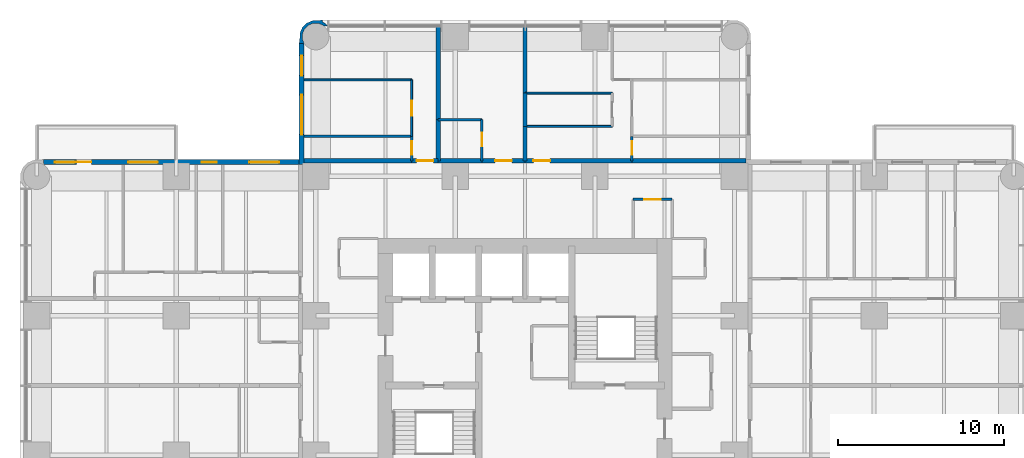
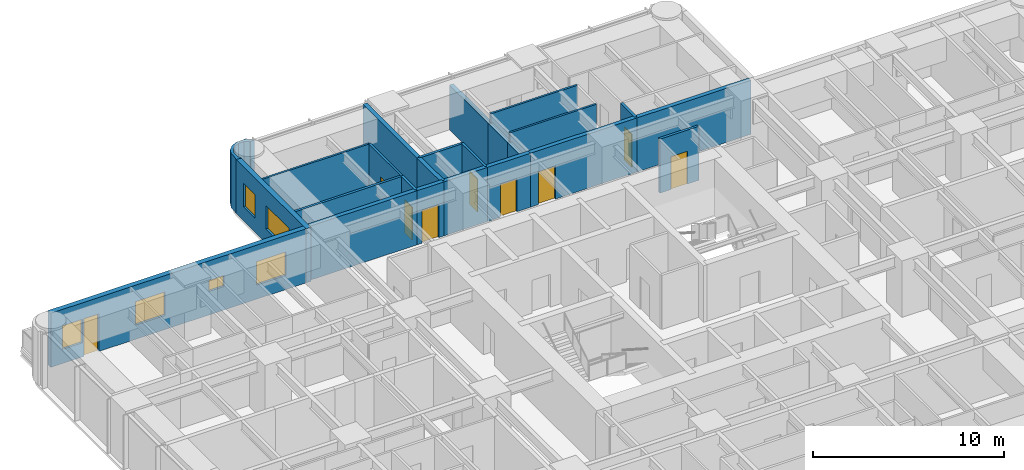
# One storey, part 11 of 14: 24 walls, 9 doors, 6 windows, 15 openings.
"""IFC4 building model written with IfcOpenShell, lengths in metres."""

from ifc_helpers import new_model, si_unit, direction, frame, frame_2d, origin, place, context, subcontext, project, spatial, polyline, rectangle, outline, extrude, material, layer, layer_set, type_object, element, fill, save


model = new_model("IFC4")

# Units and contexts
model_context = context("Model", 3, precision=1e-05, world=origin(), true_north=direction((0.0, 1.0)))
body_context = subcontext(model_context, "Body", "Model", "MODEL_VIEW")
ifc_project = project(units=[si_unit("LENGTHUNIT", "METRE"), si_unit("AREAUNIT", "SQUARE_METRE"), si_unit("VOLUMEUNIT", "CUBIC_METRE"), si_unit("PLANEANGLEUNIT", "RADIAN"), si_unit("MASSUNIT", "GRAM", prefix="KILO")], contexts=[model_context])

# Site, building, storey
site_placement = place(None, origin())
site = spatial("IfcSite", under=ifc_project, at=site_placement, CompositionType="ELEMENT")
building_placement = place(site_placement, origin())
building = spatial("IfcBuilding", under=site, at=building_placement, Name="Torre Alcanfor", CompositionType="ELEMENT")
storey_placement = place(building_placement, frame((0.0, 0.0, 130.5)))
storey = spatial("IfcBuildingStorey", under=building, at=storey_placement, Name="L33", CompositionType="ELEMENT", Elevation=130.5)

# Wall, opening, door
ifc_material_1 = material(Name="Concrete block masonry, hollow blocks NMX-C-404 9 MPa", Category="masonry")
ifc_layer_1 = layer(ifc_material_1, 0.25)
ifc_layer_set_1 = layer_set([ifc_layer_1], Name="Apartment entrance wall 250 EI 60")
wall_type_1 = type_object("IfcWallType", Name="Apartment entrance wall 250 EI 60", PredefinedType="PARTITIONING", material=ifc_layer_set_1)
wall_1_placement = place(storey_placement, frame((26.800048828125, 42.925048828125, 0.0), z_axis=(0.0, 0.0, 1.0), x_axis=(1.0, 0.0, 0.0)))
wall_1 = element("IfcWall", 1, at=wall_1_placement, inside=storey, type_object=wall_type_1, Name="Partition L33-CORR / L33-N1A-STUDIO", PredefinedType="PARTITIONING", context=body_context, shape_type="SweptSolid", body=[
    extrude(rectangle(XDim=2.599853515625, YDim=0.25, at=frame_2d((1.2998046875, 0.0))), origin(), (0.0, 0.0, 1.0), 3.449951171875),
])
opening_1_placement = place(wall_1_placement, frame((0.800048828125, 0.0, 0.0)))
opening_1 = element("IfcOpeningElement", 2, at=opening_1_placement, cuts=wall_1, Name="Opening D-A1", PredefinedType="OPENING", context=body_context, shape_type="SweptSolid", body=[
    extrude(rectangle(XDim=1.0, YDim=2.10009765625, at=frame_2d((0.5, 1.050048828125))), frame((0.0, 0.135009765625, 0.0), z_axis=(0.0, -1.0, 0.0), x_axis=(1.0, 0.0, 0.0)), (0.0, 0.0, 1.0), 0.27001953125),
])
ifc_material_2 = material(Name="Galvanised steel sheet ASTM A653", Category="steel")
door_type_1 = type_object("IfcDoorType", Name="Apartment entrance door FD60 1000x2100", OperationType="SINGLE_SWING_LEFT", PredefinedType="DOOR", material=ifc_material_2)
door_1_placement = place(opening_1_placement, origin())
door_1 = element("IfcDoor", 3, at=door_1_placement, inside=storey, type_object=door_type_1, Name="Apartment entrance L33-N1A", OperationType="SINGLE_SWING_LEFT", OverallHeight=2.10009765625, OverallWidth=1.0, PredefinedType="DOOR", context=body_context, shape_type="SweptSolid", body=[
    extrude(rectangle(XDim=1.0, YDim=2.10009765625, at=frame_2d((0.5, 1.050048828125))), frame((0.0, 0.02490234375, 0.0), z_axis=(0.0, -1.0, 0.0), x_axis=(1.0, 0.0, 0.0)), (0.0, 0.0, 1.0), 0.050048828125),
])
fill(opening_1, door_1)

# Wall
wall_2_placement = place(storey_placement, frame((24.1708984375, 42.925048828125, 0.0), z_axis=(0.0, 0.0, 1.0), x_axis=(1.0, 0.0, 0.0)))
element("IfcWall", 4, at=wall_2_placement, inside=storey, type_object=wall_type_1, Name="Partition L33-CORR / L33-N1A-BATH", PredefinedType="PARTITIONING", context=body_context, shape_type="SweptSolid", body=[
    extrude(rectangle(XDim=2.629150390625, YDim=0.25, at=frame_2d((1.314453125, 0.0))), origin(), (0.0, 0.0, 1.0), 3.449951171875),
])

# Wall, opening, door
wall_3_placement = place(storey_placement, frame((22.571044921875, 42.925048828125, 0.0), z_axis=(0.0, 0.0, 1.0), x_axis=(1.0, 0.0, 0.0)))
wall_3 = element("IfcWall", 5, at=wall_3_placement, inside=storey, type_object=wall_type_1, Name="Partition L33-CORR / L33-N1B-LIVING", PredefinedType="PARTITIONING", context=body_context, shape_type="SweptSolid", body=[
    extrude(rectangle(XDim=1.599853515625, YDim=0.25, at=frame_2d((0.7998046875, 0.0))), origin(), (0.0, 0.0, 1.0), 3.449951171875),
])
opening_2_placement = place(wall_3_placement, frame((0.300048828125, 0.0, 0.0)))
opening_2 = element("IfcOpeningElement", 6, at=opening_2_placement, cuts=wall_3, Name="Opening D-A1", PredefinedType="OPENING", context=body_context, shape_type="SweptSolid", body=[
    extrude(rectangle(XDim=1.0, YDim=2.10009765625, at=frame_2d((0.5, 1.050048828125))), frame((0.0, 0.135009765625, 0.0), z_axis=(0.0, -1.0, 0.0), x_axis=(1.0, 0.0, 0.0)), (0.0, 0.0, 1.0), 0.27001953125),
])
door_2_placement = place(opening_2_placement, origin())
door_2 = element("IfcDoor", 7, at=door_2_placement, inside=storey, type_object=door_type_1, Name="Apartment entrance L33-N1B", OperationType="SINGLE_SWING_LEFT", OverallHeight=2.10009765625, OverallWidth=1.0, PredefinedType="DOOR", context=body_context, shape_type="SweptSolid", body=[
    extrude(rectangle(XDim=1.0, YDim=2.10009765625, at=frame_2d((0.5, 1.050048828125))), frame((0.0, 0.02490234375, 0.0), z_axis=(0.0, -1.0, 0.0), x_axis=(1.0, 0.0, 0.0)), (0.0, 0.0, 1.0), 0.050048828125),
])
fill(opening_2, door_2)

# Wall
wall_4_placement = place(storey_placement, frame((16.10009765625, 42.925048828125, 0.0), z_axis=(0.0, 0.0, 1.0), x_axis=(1.0, 0.0, 0.0)))
element("IfcWall", 8, at=wall_4_placement, inside=storey, type_object=wall_type_1, Name="Partition L33-CORR / L33-N1B-BATH", PredefinedType="PARTITIONING", context=body_context, shape_type="SweptSolid", body=[
    extrude(rectangle(XDim=6.470947265625, YDim=0.25, at=frame_2d((3.2353515625, 0.0))), origin(), (0.0, 0.0, 1.0), 3.449951171875),
])

# Wall, opening, door
wall_5_placement = place(storey_placement, frame((29.39990234375, 42.925048828125, 0.0), z_axis=(0.0, 0.0, 1.0), x_axis=(1.0, 0.0, 0.0)))
wall_5 = element("IfcWall", 9, at=wall_5_placement, inside=storey, type_object=wall_type_1, Name="Partition L33-CORR / L33-N2-LIVING", PredefinedType="PARTITIONING", context=body_context, shape_type="SweptSolid", body=[
    extrude(rectangle(XDim=6.42919921875, YDim=0.25, at=frame_2d((3.214599609375, 0.0))), origin(), (0.0, 0.0, 1.0), 3.449951171875),
])
opening_3_placement = place(wall_5_placement, frame((0.5, 0.0, 0.0)))
opening_3 = element("IfcOpeningElement", 10, at=opening_3_placement, cuts=wall_5, Name="Opening D-A1", PredefinedType="OPENING", context=body_context, shape_type="SweptSolid", body=[
    extrude(rectangle(XDim=1.0, YDim=2.10009765625, at=frame_2d((0.5, 1.050048828125))), frame((0.0, 0.135009765625, 0.0), z_axis=(0.0, -1.0, 0.0), x_axis=(1.0, 0.0, 0.0)), (0.0, 0.0, 1.0), 0.27001953125),
])
door_3_placement = place(opening_3_placement, origin())
door_3 = element("IfcDoor", 11, at=door_3_placement, inside=storey, type_object=door_type_1, Name="Apartment entrance L33-N2", OperationType="SINGLE_SWING_LEFT", OverallHeight=2.10009765625, OverallWidth=1.0, PredefinedType="DOOR", context=body_context, shape_type="SweptSolid", body=[
    extrude(rectangle(XDim=1.0, YDim=2.10009765625, at=frame_2d((0.5, 1.050048828125))), frame((0.0, 0.02490234375, 0.0), z_axis=(0.0, -1.0, 0.0), x_axis=(1.0, 0.0, 0.0)), (0.0, 0.0, 1.0), 0.050048828125),
])
fill(opening_3, door_3)

# Wall
wall_6_placement = place(storey_placement, frame((35.8291015625, 42.925048828125, 0.0), z_axis=(0.0, 0.0, 1.0), x_axis=(1.0, 0.0, 0.0)))
element("IfcWall", 12, at=wall_6_placement, inside=storey, type_object=wall_type_1, Name="Partition L33-CORR / L33-N2-BATH", PredefinedType="PARTITIONING", context=body_context, shape_type="SweptSolid", body=[
    extrude(rectangle(XDim=6.870849609375, YDim=0.25, at=frame_2d((3.435546875, 0.0))), origin(), (0.0, 0.0, 1.0), 3.449951171875),
])

# Wall, opening, door
ifc_material_3 = material(Name="Gypsum board on steel studs", Category="steel")
ifc_layer_2 = layer(ifc_material_3, 0.1201171875)
ifc_layer_set_2 = layer_set([ifc_layer_2], Name="Apartment partition 120")
wall_type_2 = type_object("IfcWallType", Name="Apartment partition 120", PredefinedType="PARTITIONING", material=ifc_layer_set_2)
wall_7_placement = place(storey_placement, frame((22.571044921875, 44.39990234375, 0.0), z_axis=(0.0, 0.0, 1.0), x_axis=(0.0, 1.0, 0.0)))
wall_7 = element("IfcWall", 13, at=wall_7_placement, inside=storey, type_object=wall_type_2, Name="Partition L33-N1B-LIVING / L33-N1B-MASTER", PredefinedType="PARTITIONING", context=body_context, shape_type="SweptSolid", body=[
    extrude(rectangle(XDim=3.400146484375, YDim=0.1201171875, at=frame_2d((1.7001953125, 0.0))), origin(), (0.0, 0.0, 1.0), 3.449951171875),
])
opening_4_placement = place(wall_7_placement, frame((1.25, 0.0, 0.0)))
opening_4 = element("IfcOpeningElement", 14, at=opening_4_placement, cuts=wall_7, Name="Opening D-R1", PredefinedType="OPENING", context=body_context, shape_type="SweptSolid", body=[
    extrude(rectangle(XDim=0.89990234375, YDim=2.10009765625, at=frame_2d((0.449951171875, 1.050048828125))), frame((0.0, 0.070068359375, 0.0), z_axis=(0.0, -1.0, 0.0), x_axis=(1.0, 0.0, 0.0)), (0.0, 0.0, 1.0), 0.14013671875),
])
ifc_material_4 = material(Name="Timber", Category="wood")
door_type_2 = type_object("IfcDoorType", Name="Internal door 900x2100", OperationType="SINGLE_SWING_LEFT", PredefinedType="DOOR", material=ifc_material_4)
door_4_placement = place(opening_4_placement, origin())
door_4 = element("IfcDoor", 15, at=door_4_placement, inside=storey, type_object=door_type_2, Name="Door L33-N1B master", OperationType="SINGLE_SWING_LEFT", OverallHeight=2.10009765625, OverallWidth=0.89990234375, PredefinedType="DOOR", context=body_context, shape_type="SweptSolid", body=[
    extrude(rectangle(XDim=0.89990234375, YDim=2.10009765625, at=frame_2d((0.449951171875, 1.050048828125))), frame((0.0, 0.02490234375, 0.0), z_axis=(0.0, -1.0, 0.0), x_axis=(1.0, 0.0, 0.0)), (0.0, 0.0, 1.0), 0.050048828125),
])
fill(opening_4, door_4)

# Walls
wall_8_placement = place(storey_placement, frame((22.571044921875, 47.800048828125, 0.0), z_axis=(0.0, 0.0, 1.0), x_axis=(-1.0, 0.0, 0.0)))
element("IfcWall", 16, at=wall_8_placement, inside=storey, type_object=wall_type_2, Name="Partition L33-N1B-LIVING / L33-N1B-MASTER", PredefinedType="PARTITIONING", context=body_context, shape_type="SweptSolid", body=[
    extrude(rectangle(XDim=6.470947265625, YDim=0.1201171875, at=frame_2d((3.2353515625, 0.0))), origin(), (0.0, 0.0, 1.0), 3.449951171875),
])
for number, where, z_axis, x_axis, name in (
    (17, (29.39990234375, 47.0, 0.0), (0.0, 0.0, 1.0), (1.0, 0.0, 0.0), "Partition L33-N2-KITCHEN / L33-N2-LIVING"),
    (18, (34.62890625, 45.0, 0.0), (0.0, 0.0, 1.0), (-1.0, 0.0, 0.0), "Partition L33-N2-KITCHEN / L33-N2-LIVING"),
):
    element("IfcWall", number, at=place(storey_placement, frame(where, z_axis=z_axis, x_axis=x_axis)), inside=storey, type_object=wall_type_2, Name=name, PredefinedType="PARTITIONING", context=body_context, shape_type="SweptSolid", body=[
        extrude(rectangle(XDim=5.22900390625, YDim=0.1201171875, at=frame_2d((2.614501953125, 0.0))), origin(), (0.0, 0.0, 1.0), 3.449951171875),
    ])

# Wall, openings, door, windows
ifc_material_5 = material(Name="Limestone cladding", Category="masonry")
ifc_layer_3 = layer(ifc_material_5, 0.0400390625, Name="Facing")
ifc_material_6 = material(Name="Ventilated air cavity")
ifc_layer_4 = layer(ifc_material_6, 0.02001953125, ventilated=True, Name="Ventilated joint")
ifc_material_7 = material(Name="Mineral wool insulation", Category="insulation")
ifc_layer_5 = layer(ifc_material_7, 0.10009765625, Name="Insulation")
ifc_material_8 = material(Name="Concrete f'c 35 MPa", Category="concrete")
ifc_layer_6 = layer(ifc_material_8, 0.139892578125, Name="Backing")
ifc_layer_set_3 = layer_set([ifc_layer_3, ifc_layer_4, ifc_layer_5, ifc_layer_6], Name="External wall stone-clad 300")
wall_type_3 = type_object("IfcWallType", Name="External wall stone-clad 300", PredefinedType="SOLIDWALL", material=ifc_layer_set_3)
wall_9_placement = place(storey_placement, frame((15.800048828125, 42.85009765625, 0.0), z_axis=(0.0, 0.0, 1.0), x_axis=(-1.0, 0.0, 0.0)))
wall_9 = element("IfcWall", 19, at=wall_9_placement, inside=storey, type_object=wall_type_3, Name="External wall L33 1", PredefinedType="SOLIDWALL", context=body_context, shape_type="SweptSolid", body=[
    extrude(rectangle(XDim=15.400146484375, YDim=0.300048828125, at=frame_2d((7.7001953125, 0.0))), origin(), (0.0, 0.0, 1.0), 3.449951171875),
])
opening_5_placement = place(wall_9_placement, frame((1.199951171875, 0.0, 0.89990234375)))
opening_5 = element("IfcOpeningElement", 20, at=opening_5_placement, cuts=wall_9, Name="Opening W2", PredefinedType="OPENING", context=body_context, shape_type="SweptSolid", body=[
    extrude(rectangle(XDim=1.800048828125, YDim=1.5, at=frame_2d((0.89990234375, 0.75))), frame((0.0, 0.159912109375, 0.0), z_axis=(0.0, -1.0, 0.0), x_axis=(1.0, 0.0, 0.0)), (0.0, 0.0, 1.0), 0.320068359375),
])
opening_6_placement = place(wall_9_placement, frame((4.949951171875, 0.0, 1.5)))
opening_6 = element("IfcOpeningElement", 21, at=opening_6_placement, cuts=wall_9, Name="Opening W3", PredefinedType="OPENING", context=body_context, shape_type="SweptSolid", body=[
    extrude(rectangle(XDim=0.89990234375, YDim=0.699951171875, at=frame_2d((0.449951171875, 0.35009765625))), frame((0.0, 0.159912109375, 0.0), z_axis=(0.0, -1.0, 0.0), x_axis=(1.0, 0.0, 0.0)), (0.0, 0.0, 1.0), 0.320068359375),
])
opening_7_placement = place(wall_9_placement, frame((8.5, 0.0, 0.89990234375)))
opening_7 = element("IfcOpeningElement", 22, at=opening_7_placement, cuts=wall_9, Name="Opening W2", PredefinedType="OPENING", context=body_context, shape_type="SweptSolid", body=[
    extrude(rectangle(XDim=1.800048828125, YDim=1.5, at=frame_2d((0.89990234375, 0.75))), frame((0.0, 0.159912109375, 0.0), z_axis=(0.0, -1.0, 0.0), x_axis=(1.0, 0.0, 0.0)), (0.0, 0.0, 1.0), 0.320068359375),
])
opening_8_placement = place(wall_9_placement, frame((12.5, 0.0, 0.0)))
opening_8 = element("IfcOpeningElement", 23, at=opening_8_placement, cuts=wall_9, Name="Opening D-B1", PredefinedType="OPENING", context=body_context, shape_type="SweptSolid", body=[
    extrude(rectangle(XDim=0.89990234375, YDim=2.39990234375, at=frame_2d((0.449951171875, 1.199951171875))), frame((0.0, 0.159912109375, 0.0), z_axis=(0.0, -1.0, 0.0), x_axis=(1.0, 0.0, 0.0)), (0.0, 0.0, 1.0), 0.320068359375),
])
opening_9_placement = place(wall_9_placement, frame((13.5, 0.0, 0.89990234375)))
opening_9 = element("IfcOpeningElement", 24, at=opening_9_placement, cuts=wall_9, Name="Opening W4", PredefinedType="OPENING", context=body_context, shape_type="SweptSolid", body=[
    extrude(rectangle(XDim=1.199951171875, YDim=1.5, at=frame_2d((0.60009765625, 0.75))), frame((0.0, 0.159912109375, 0.0), z_axis=(0.0, -1.0, 0.0), x_axis=(1.0, 0.0, 0.0)), (0.0, 0.0, 1.0), 0.320068359375),
])
ifc_material_9 = material(Name="Aluminium and glass", Category="aluminium")
door_type_3 = type_object("IfcDoorType", Name="Balcony door glazed 900x2400", OperationType="SINGLE_SWING_LEFT", PredefinedType="DOOR", material=ifc_material_9)
door_5_placement = place(opening_8_placement, origin())
door_5 = element("IfcDoor", 25, at=door_5_placement, inside=storey, type_object=door_type_3, Name="Balcony door L33-W2", OperationType="SINGLE_SWING_LEFT", OverallHeight=2.39990234375, OverallWidth=0.89990234375, PredefinedType="DOOR", context=body_context, shape_type="SweptSolid", body=[
    extrude(rectangle(XDim=0.89990234375, YDim=2.39990234375, at=frame_2d((0.449951171875, 1.199951171875))), frame((0.0, 0.02490234375, 0.0), z_axis=(0.0, -1.0, 0.0), x_axis=(1.0, 0.0, 0.0)), (0.0, 0.0, 1.0), 0.050048828125),
])
fill(opening_8, door_5)
ifc_material_10 = material(Name="Aluminium frame with clear double glazing", Category="aluminium")
window_type_1 = type_object("IfcWindowType", Name="Window bathroom 900x700", PartitioningType="SINGLE_PANEL", PredefinedType="WINDOW", material=ifc_material_10)
window_1_placement = place(opening_6_placement, origin())
window_1 = element("IfcWindow", 26, at=window_1_placement, inside=storey, type_object=window_type_1, Name="Window W3 L33-W2", OverallHeight=0.699951171875, OverallWidth=0.89990234375, PartitioningType="SINGLE_PANEL", PredefinedType="WINDOW", context=body_context, shape_type="SweptSolid", body=[
    extrude(rectangle(XDim=0.89990234375, YDim=0.699951171875, at=frame_2d((0.449951171875, 0.35009765625))), frame((0.0, 0.030029296875, 0.0), z_axis=(0.0, -1.0, 0.0), x_axis=(1.0, 0.0, 0.0)), (0.0, 0.0, 1.0), 0.06005859375),
])
fill(opening_6, window_1)
ifc_material_11 = material(Name="Aluminium frame with clear double glazing", Category="aluminium")
window_type_2 = type_object("IfcWindowType", Name="Window bedroom 1200x1500", PartitioningType="SINGLE_PANEL", PredefinedType="WINDOW", material=ifc_material_11)
window_2_placement = place(opening_9_placement, origin())
window_2 = element("IfcWindow", 27, at=window_2_placement, inside=storey, type_object=window_type_2, Name="Window W4 L33-W2", OverallHeight=1.5, OverallWidth=1.199951171875, PartitioningType="SINGLE_PANEL", PredefinedType="WINDOW", context=body_context, shape_type="SweptSolid", body=[
    extrude(rectangle(XDim=1.199951171875, YDim=1.5, at=frame_2d((0.60009765625, 0.75))), frame((0.0, 0.030029296875, 0.0), z_axis=(0.0, -1.0, 0.0), x_axis=(1.0, 0.0, 0.0)), (0.0, 0.0, 1.0), 0.06005859375),
])
fill(opening_9, window_2)
ifc_material_12 = material(Name="Aluminium frame with clear double glazing", Category="aluminium")
window_type_3 = type_object("IfcWindowType", Name="Window bedroom 1800x1500", PartitioningType="SINGLE_PANEL", PredefinedType="WINDOW", material=ifc_material_12)
window_3_placement = place(opening_5_placement, origin())
window_3 = element("IfcWindow", 28, at=window_3_placement, inside=storey, type_object=window_type_3, Name="Window W2 L33-W2", OverallHeight=1.5, OverallWidth=1.800048828125, PartitioningType="SINGLE_PANEL", PredefinedType="WINDOW", context=body_context, shape_type="SweptSolid", body=[
    extrude(rectangle(XDim=1.800048828125, YDim=1.5, at=frame_2d((0.89990234375, 0.75))), frame((0.0, 0.030029296875, 0.0), z_axis=(0.0, -1.0, 0.0), x_axis=(1.0, 0.0, 0.0)), (0.0, 0.0, 1.0), 0.06005859375),
])
fill(opening_5, window_3)
window_4_placement = place(opening_7_placement, origin())
window_4 = element("IfcWindow", 29, at=window_4_placement, inside=storey, type_object=window_type_3, Name="Window W2 L33-W2", OverallHeight=1.5, OverallWidth=1.800048828125, PartitioningType="SINGLE_PANEL", PredefinedType="WINDOW", context=body_context, shape_type="SweptSolid", body=[
    extrude(rectangle(XDim=1.800048828125, YDim=1.5, at=frame_2d((0.89990234375, 0.75))), frame((0.0, 0.030029296875, 0.0), z_axis=(0.0, -1.0, 0.0), x_axis=(1.0, 0.0, 0.0)), (0.0, 0.0, 1.0), 0.06005859375),
])
fill(opening_7, window_4)

# Wall, openings, windows
wall_10_placement = place(storey_placement, frame((15.949951171875, 50.0, 0.0), z_axis=(0.0, 0.0, 1.0), x_axis=(0.0, -1.0, 0.0)))
wall_10 = element("IfcWall", 30, at=wall_10_placement, inside=storey, type_object=wall_type_3, Name="External wall L33 12", PredefinedType="SOLIDWALL", context=body_context, shape_type="SweptSolid", body=[
    extrude(rectangle(XDim=7.300048828125, YDim=0.300048828125, at=frame_2d((3.64990234375, 0.0))), origin(), (0.0, 0.0, 1.0), 3.449951171875),
])
opening_10_placement = place(wall_10_placement, frame((3.10009765625, 0.0, 0.89990234375)))
opening_10 = element("IfcOpeningElement", 31, at=opening_10_placement, cuts=wall_10, Name="Opening W1", PredefinedType="OPENING", context=body_context, shape_type="SweptSolid", body=[
    extrude(rectangle(XDim=2.39990234375, YDim=1.5, at=frame_2d((1.199951171875, 0.75))), frame((0.0, 0.159912109375, 0.0), z_axis=(0.0, -1.0, 0.0), x_axis=(1.0, 0.0, 0.0)), (0.0, 0.0, 1.0), 0.320068359375),
])
opening_11_placement = place(wall_10_placement, frame((0.75, 0.0, 0.89990234375)))
opening_11 = element("IfcOpeningElement", 32, at=opening_11_placement, cuts=wall_10, Name="Opening W4", PredefinedType="OPENING", context=body_context, shape_type="SweptSolid", body=[
    extrude(rectangle(XDim=1.199951171875, YDim=1.5, at=frame_2d((0.60009765625, 0.75))), frame((0.0, 0.159912109375, 0.0), z_axis=(0.0, -1.0, 0.0), x_axis=(1.0, 0.0, 0.0)), (0.0, 0.0, 1.0), 0.320068359375),
])
window_5_placement = place(opening_11_placement, origin())
window_5 = element("IfcWindow", 33, at=window_5_placement, inside=storey, type_object=window_type_2, Name="Window W4 L33-N1", OverallHeight=1.5, OverallWidth=1.199951171875, PartitioningType="SINGLE_PANEL", PredefinedType="WINDOW", context=body_context, shape_type="SweptSolid", body=[
    extrude(rectangle(XDim=1.199951171875, YDim=1.5, at=frame_2d((0.60009765625, 0.75))), frame((0.0, 0.030029296875, 0.0), z_axis=(0.0, -1.0, 0.0), x_axis=(1.0, 0.0, 0.0)), (0.0, 0.0, 1.0), 0.06005859375),
])
fill(opening_11, window_5)
ifc_material_13 = material(Name="Aluminium frame with clear double glazing", Category="aluminium")
window_type_4 = type_object("IfcWindowType", Name="Window bedroom 2400x1500", PartitioningType="SINGLE_PANEL", PredefinedType="WINDOW", material=ifc_material_13)
window_6_placement = place(opening_10_placement, origin())
window_6 = element("IfcWindow", 34, at=window_6_placement, inside=storey, type_object=window_type_4, Name="Window W1 L33-N1", OverallHeight=1.5, OverallWidth=2.39990234375, PartitioningType="SINGLE_PANEL", PredefinedType="WINDOW", context=body_context, shape_type="SweptSolid", body=[
    extrude(rectangle(XDim=2.39990234375, YDim=1.5, at=frame_2d((1.199951171875, 0.75))), frame((0.0, 0.030029296875, 0.0), z_axis=(0.0, -1.0, 0.0), x_axis=(1.0, 0.0, 0.0)), (0.0, 0.0, 1.0), 0.06005859375),
])
fill(opening_10, window_6)

# Walls
ifc_material_14 = material(Name="Concrete block masonry, hollow blocks NMX-C-404 9 MPa", Category="masonry")
ifc_layer_7 = layer(ifc_material_14, 0.25)
ifc_layer_set_4 = layer_set([ifc_layer_7], Name="Party wall 250 EI 60")
wall_type_4 = type_object("IfcWallType", Name="Party wall 250 EI 60", PredefinedType="PARTITIONING", material=ifc_layer_set_4)
wall_11_placement = place(storey_placement, frame((24.1708984375, 45.39990234375, 0.0), z_axis=(0.0, 0.0, 1.0), x_axis=(0.0, 1.0, 0.0)))
element("IfcWall", 35, at=wall_11_placement, inside=storey, type_object=wall_type_4, Name="Partition L33-N1A-STUDIO / L33-N1B-LIVING", PredefinedType="PARTITIONING", context=body_context, shape_type="SweptSolid", body=[
    extrude(rectangle(XDim=5.650146484375, YDim=0.25, at=frame_2d((2.8251953125, 0.0))), origin(), (0.0, 0.0, 1.0), 3.449951171875),
])
wall_12_placement = place(storey_placement, frame((29.39990234375, 47.0, 0.0), z_axis=(0.0, 0.0, 1.0), x_axis=(0.0, -1.0, 0.0)))
element("IfcWall", 36, at=wall_12_placement, inside=storey, type_object=wall_type_4, Name="Partition L33-N1A-STUDIO / L33-N2-KITCHEN", PredefinedType="PARTITIONING", context=body_context, shape_type="SweptSolid", body=[
    extrude(rectangle(XDim=2.0, YDim=0.25, at=frame_2d((1.0, 0.0))), origin(), (0.0, 0.0, 1.0), 2.847900390625),
])
wall_13_placement = place(storey_placement, frame((29.39990234375, 45.0, 0.0), z_axis=(0.0, 0.0, 1.0), x_axis=(0.0, -1.0, 0.0)))
element("IfcWall", 37, at=wall_13_placement, inside=storey, type_object=wall_type_4, Name="Partition L33-N1A-STUDIO / L33-N2-LIVING", PredefinedType="PARTITIONING", context=body_context, shape_type="SweptSolid", body=[
    extrude(rectangle(XDim=2.074951171875, YDim=0.25, at=frame_2d((1.03759765625, 0.0))), origin(), (0.0, 0.0, 1.0), 2.847900390625),
])
wall_14_placement = place(storey_placement, frame((29.39990234375, 51.050048828125, 0.0), z_axis=(0.0, 0.0, 1.0), x_axis=(0.0, -1.0, 0.0)))
element("IfcWall", 38, at=wall_14_placement, inside=storey, type_object=wall_type_4, Name="Partition L33-N1A-STUDIO / L33-N2-LIVING", PredefinedType="PARTITIONING", context=body_context, shape_type="SweptSolid", body=[
    extrude(rectangle(XDim=4.050048828125, YDim=0.25, at=frame_2d((2.02490234375, 0.0))), origin(), (0.0, 0.0, 1.0), 2.847900390625),
])
wall_15_placement = place(storey_placement, frame((24.1708984375, 45.39990234375, 0.0), z_axis=(0.0, 0.0, 1.0), x_axis=(0.0, -1.0, 0.0)))
element("IfcWall", 39, at=wall_15_placement, inside=storey, type_object=wall_type_4, Name="Partition L33-N1A-BATH / L33-N1B-LIVING", PredefinedType="PARTITIONING", context=body_context, shape_type="SweptSolid", body=[
    extrude(rectangle(XDim=2.474853515625, YDim=0.25, at=frame_2d((1.2373046875, 0.0))), origin(), (0.0, 0.0, 1.0), 3.449951171875),
])

# Wall, opening, door
ifc_material_15 = material(Name="Concrete block masonry, hollow blocks NMX-C-404 9 MPa", Category="masonry")
ifc_layer_8 = layer(ifc_material_15, 0.14990234375)
ifc_layer_set_5 = layer_set([ifc_layer_8], Name="Residents' room partition 150")
wall_type_5 = type_object("IfcWallType", Name="Residents' room partition 150", PredefinedType="PARTITIONING", material=ifc_layer_set_5)
wall_16_placement = place(storey_placement, frame((38.25, 40.60009765625, 0.0), z_axis=(0.0, 0.0, 1.0), x_axis=(-1.0, 0.0, 0.0)))
wall_16 = element("IfcWall", 40, at=wall_16_placement, inside=storey, type_object=wall_type_5, Name="Partition L33-CORR / L33-G01", PredefinedType="PARTITIONING", context=body_context, shape_type="SweptSolid", body=[
    extrude(rectangle(XDim=2.35009765625, YDim=0.14990234375, at=frame_2d((1.175048828125, 0.0))), origin(), (0.0, 0.0, 1.0), 3.449951171875),
])
opening_12_placement = place(wall_16_placement, frame((0.675048828125, 0.0, 0.0)))
opening_12 = element("IfcOpeningElement", 41, at=opening_12_placement, cuts=wall_16, Name="Opening D-M1", PredefinedType="OPENING", context=body_context, shape_type="SweptSolid", body=[
    extrude(rectangle(XDim=1.0, YDim=2.10009765625, at=frame_2d((0.5, 1.050048828125))), frame((0.0, 0.0849609375, 0.0), z_axis=(0.0, -1.0, 0.0), x_axis=(1.0, 0.0, 0.0)), (0.0, 0.0, 1.0), 0.169921875),
])
ifc_material_16 = material(Name="Timber", Category="wood")
door_type_4 = type_object("IfcDoorType", Name="Residents' room door 1000x2100", OperationType="SINGLE_SWING_LEFT", PredefinedType="DOOR", material=ifc_material_16)
door_6_placement = place(opening_12_placement, origin())
door_6 = element("IfcDoor", 42, at=door_6_placement, inside=storey, type_object=door_type_4, Name="Door L33-G01 parcel room", OperationType="SINGLE_SWING_LEFT", OverallHeight=2.10009765625, OverallWidth=1.0, PredefinedType="DOOR", context=body_context, shape_type="SweptSolid", body=[
    extrude(rectangle(XDim=1.0, YDim=2.10009765625, at=frame_2d((0.5, 1.050048828125))), frame((0.0, 0.02490234375, 0.0), z_axis=(0.0, -1.0, 0.0), x_axis=(1.0, 0.0, 0.0)), (0.0, 0.0, 1.0), 0.050048828125),
])
fill(opening_12, door_6)

# Wall
ifc_layer_9 = layer(ifc_material_5, 0.0400390625, Name="Facing")
ifc_layer_10 = layer(ifc_material_6, 0.02001953125, ventilated=True, Name="Ventilated joint")
ifc_layer_11 = layer(ifc_material_7, 0.10009765625, Name="Insulation")
ifc_layer_12 = layer(ifc_material_8, 0.139892578125, Name="Backing")
ifc_layer_set_6 = layer_set([ifc_layer_9, ifc_layer_10, ifc_layer_11, ifc_layer_12], Name="Rounded corner pier stone-clad 300")
wall_type_6 = type_object("IfcWallType", Name="Rounded corner pier stone-clad 300", PredefinedType="SOLIDWALL", material=ifc_layer_set_6)
wall_17_placement = place(storey_placement, frame((17.448071802, 50.995317512, 0.0), z_axis=(0.0, 0.0, 1.0), x_axis=(-0.343276641956, 0.93923434088, 0.0)))
element("IfcWall", 43, at=wall_17_placement, inside=storey, type_object=wall_type_6, Name="Corner pier L33 20", PredefinedType="SOLIDWALL", context=body_context, shape_type="SweptSolid", body=[
    extrude(outline(polyline([(0.24108059829103723, 0.022959620234629247), (0.3334805428319213, 0.12357557552177408), (0.4651739844878831, 0.09415889406460926), (0.5320540980205655, 0.3930753034134802), (0.6306958479185591, 0.6629675932609465), (0.6144442310825087, 1.0445145490965344), (0.4535240125743382, 1.3908175635047577), (0.17229496211504458, 1.6490443416962495), (-0.0975973277324218, 1.7476860915942432), (-0.36910859501107685, 1.8895490248211664), (-0.5092558011112671, 1.6213097208797382), (-0.4906820751319597, 1.6145212911926206), (-0.47934485608116756, 1.6085581501360122), (-0.21131694537408713, 1.6200307736528514), (0.0879264176258649, 1.5106616286937335), (0.32264848080083985, 1.2951661291093102), (0.4569426595377669, 1.0061627997252323), (0.4702938084391308, 0.6878005781830546), (0.3609246634800129, 0.3885572151831026), (0.1454291638955897, 0.15383515200812764), (0.10816871297824923, 0.136520951282565), (0.030981753202503952, -0.0746691922599299), (0.24108059829103723, 0.022959620234629247)])), origin(), (0.0, 0.0, 1.0), 3.449951171875),
])

# Wall, opening, door
ifc_material_17 = material(Name="Cement board on steel studs", Category="steel")
ifc_layer_13 = layer(ifc_material_17, 0.14990234375)
ifc_layer_set_7 = layer_set([ifc_layer_13], Name="Wet area partition 150")
wall_type_7 = type_object("IfcWallType", Name="Wet area partition 150", PredefinedType="PARTITIONING", material=ifc_layer_set_7)
wall_18_placement = place(storey_placement, frame((26.800048828125, 42.925048828125, 0.0), z_axis=(0.0, 0.0, 1.0), x_axis=(0.0, 1.0, 0.0)))
wall_18 = element("IfcWall", 44, at=wall_18_placement, inside=storey, type_object=wall_type_7, Name="Partition L33-N1A-STUDIO / L33-N1A-BATH", PredefinedType="PARTITIONING", context=body_context, shape_type="SweptSolid", body=[
    extrude(rectangle(XDim=2.474853515625, YDim=0.14990234375, at=frame_2d((1.2373046875, 0.0))), origin(), (0.0, 0.0, 1.0), 3.449951171875),
])
opening_13_placement = place(wall_18_placement, frame((0.875, 0.0, 0.0)))
opening_13 = element("IfcOpeningElement", 45, at=opening_13_placement, cuts=wall_18, Name="Opening D-R2", PredefinedType="OPENING", context=body_context, shape_type="SweptSolid", body=[
    extrude(rectangle(XDim=0.800048828125, YDim=2.10009765625, at=frame_2d((0.39990234375, 1.050048828125))), frame((0.0, 0.0849609375, 0.0), z_axis=(0.0, -1.0, 0.0), x_axis=(1.0, 0.0, 0.0)), (0.0, 0.0, 1.0), 0.169921875),
])
ifc_material_18 = material(Name="Timber", Category="wood")
door_type_5 = type_object("IfcDoorType", Name="Bathroom door 800x2100", OperationType="SINGLE_SWING_LEFT", PredefinedType="DOOR", material=ifc_material_18)
door_7_placement = place(opening_13_placement, origin())
door_7 = element("IfcDoor", 46, at=door_7_placement, inside=storey, type_object=door_type_5, Name="Door L33-N1A bath", OperationType="SINGLE_SWING_RIGHT", OverallHeight=2.10009765625, OverallWidth=0.800048828125, PredefinedType="DOOR", context=body_context, shape_type="SweptSolid", body=[
    extrude(rectangle(XDim=0.800048828125, YDim=2.10009765625, at=frame_2d((0.39990234375, 1.050048828125))), frame((0.0, 0.02490234375, 0.0), z_axis=(0.0, -1.0, 0.0), x_axis=(1.0, 0.0, 0.0)), (0.0, 0.0, 1.0), 0.050048828125),
])
fill(opening_13, door_7)

# Wall
wall_19_placement = place(storey_placement, frame((26.800048828125, 45.39990234375, 0.0), z_axis=(0.0, 0.0, 1.0), x_axis=(-1.0, 0.0, 0.0)))
element("IfcWall", 47, at=wall_19_placement, inside=storey, type_object=wall_type_7, Name="Partition L33-N1A-STUDIO / L33-N1A-BATH", PredefinedType="PARTITIONING", context=body_context, shape_type="SweptSolid", body=[
    extrude(rectangle(XDim=2.629150390625, YDim=0.14990234375, at=frame_2d((1.314453125, 0.0))), origin(), (0.0, 0.0, 1.0), 3.449951171875),
])

# Wall, opening, door
wall_20_placement = place(storey_placement, frame((22.571044921875, 42.925048828125, 0.0), z_axis=(0.0, 0.0, 1.0), x_axis=(0.0, 1.0, 0.0)))
wall_20 = element("IfcWall", 48, at=wall_20_placement, inside=storey, type_object=wall_type_7, Name="Partition L33-N1B-LIVING / L33-N1B-BATH", PredefinedType="PARTITIONING", context=body_context, shape_type="SweptSolid", body=[
    extrude(rectangle(XDim=1.474853515625, YDim=0.14990234375, at=frame_2d((0.7373046875, 0.0))), origin(), (0.0, 0.0, 1.0), 3.449951171875),
])
opening_14_placement = place(wall_20_placement, frame((0.375, 0.0, 0.0)))
opening_14 = element("IfcOpeningElement", 49, at=opening_14_placement, cuts=wall_20, Name="Opening D-R2", PredefinedType="OPENING", context=body_context, shape_type="SweptSolid", body=[
    extrude(rectangle(XDim=0.800048828125, YDim=2.10009765625, at=frame_2d((0.39990234375, 1.050048828125))), frame((0.0, 0.0849609375, 0.0), z_axis=(0.0, -1.0, 0.0), x_axis=(1.0, 0.0, 0.0)), (0.0, 0.0, 1.0), 0.169921875),
])
door_8_placement = place(opening_14_placement, origin())
door_8 = element("IfcDoor", 50, at=door_8_placement, inside=storey, type_object=door_type_5, Name="Door L33-N1B bath", OperationType="SINGLE_SWING_RIGHT", OverallHeight=2.10009765625, OverallWidth=0.800048828125, PredefinedType="DOOR", context=body_context, shape_type="SweptSolid", body=[
    extrude(rectangle(XDim=0.800048828125, YDim=2.10009765625, at=frame_2d((0.39990234375, 1.050048828125))), frame((0.0, 0.02490234375, 0.0), z_axis=(0.0, -1.0, 0.0), x_axis=(1.0, 0.0, 0.0)), (0.0, 0.0, 1.0), 0.050048828125),
])
fill(opening_14, door_8)

# Wall
wall_21_placement = place(storey_placement, frame((22.571044921875, 44.39990234375, 0.0), z_axis=(0.0, 0.0, 1.0), x_axis=(-1.0, 0.0, 0.0)))
element("IfcWall", 51, at=wall_21_placement, inside=storey, type_object=wall_type_7, Name="Partition L33-N1B-BATH / L33-N1B-MASTER", PredefinedType="PARTITIONING", context=body_context, shape_type="SweptSolid", body=[
    extrude(rectangle(XDim=6.470947265625, YDim=0.14990234375, at=frame_2d((3.2353515625, 0.0))), origin(), (0.0, 0.0, 1.0), 3.449951171875),
])

# Wall, opening, door
wall_22_placement = place(storey_placement, frame((35.8291015625, 44.39990234375, 0.0), z_axis=(0.0, 0.0, 1.0), x_axis=(0.0, -1.0, 0.0)))
wall_22 = element("IfcWall", 52, at=wall_22_placement, inside=storey, type_object=wall_type_7, Name="Partition L33-N2-LIVING / L33-N2-BATH", PredefinedType="PARTITIONING", context=body_context, shape_type="SweptSolid", body=[
    extrude(rectangle(XDim=1.474853515625, YDim=0.14990234375, at=frame_2d((0.7373046875, 0.0))), origin(), (0.0, 0.0, 1.0), 3.449951171875),
])
opening_15_placement = place(wall_22_placement, frame((0.300048828125, 0.0, 0.0)))
opening_15 = element("IfcOpeningElement", 53, at=opening_15_placement, cuts=wall_22, Name="Opening D-R2", PredefinedType="OPENING", context=body_context, shape_type="SweptSolid", body=[
    extrude(rectangle(XDim=0.800048828125, YDim=2.10009765625, at=frame_2d((0.39990234375, 1.050048828125))), frame((0.0, 0.0849609375, 0.0), z_axis=(0.0, -1.0, 0.0), x_axis=(1.0, 0.0, 0.0)), (0.0, 0.0, 1.0), 0.169921875),
])
door_9_placement = place(opening_15_placement, origin())
door_9 = element("IfcDoor", 54, at=door_9_placement, inside=storey, type_object=door_type_5, Name="Door L33-N2 bath", OperationType="SINGLE_SWING_LEFT", OverallHeight=2.10009765625, OverallWidth=0.800048828125, PredefinedType="DOOR", context=body_context, shape_type="SweptSolid", body=[
    extrude(rectangle(XDim=0.800048828125, YDim=2.10009765625, at=frame_2d((0.39990234375, 1.050048828125))), frame((0.0, 0.02490234375, 0.0), z_axis=(0.0, -1.0, 0.0), x_axis=(1.0, 0.0, 0.0)), (0.0, 0.0, 1.0), 0.050048828125),
])
fill(opening_15, door_9)

save(model, "model.ifc")
